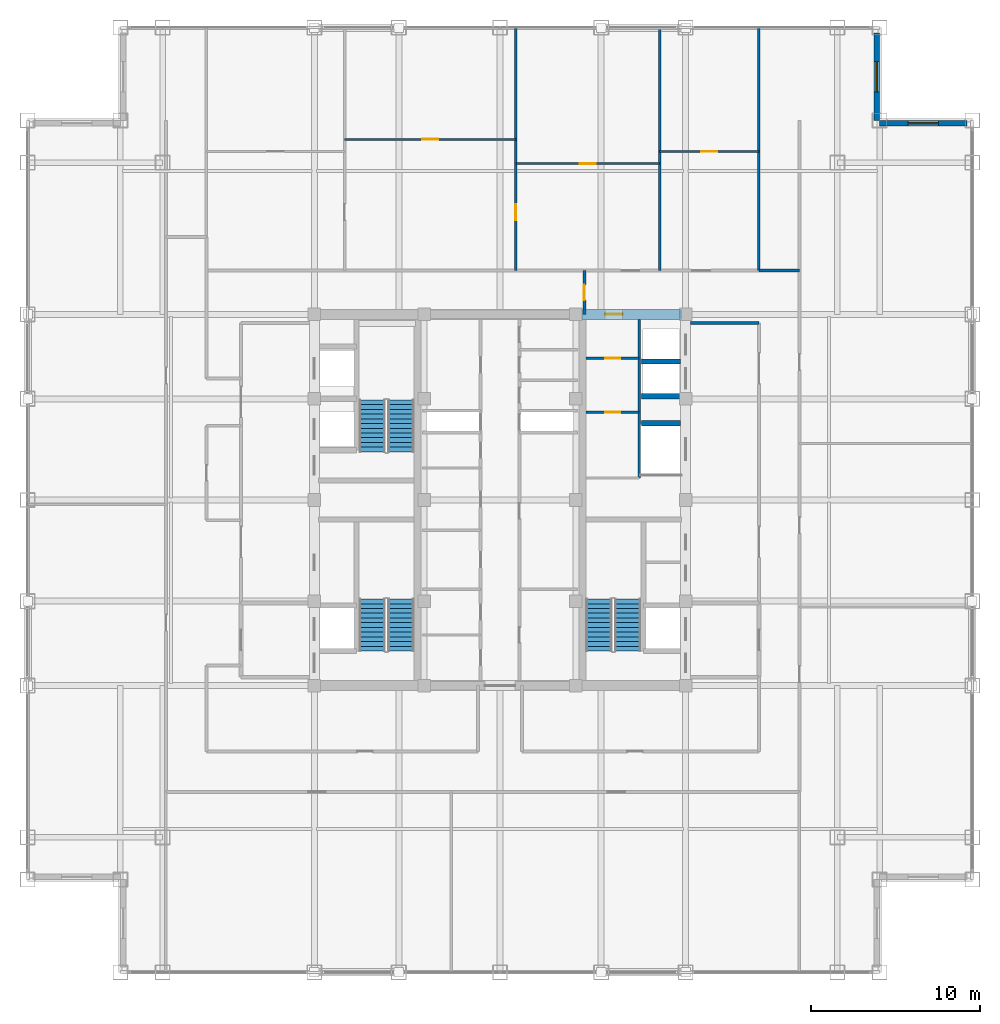
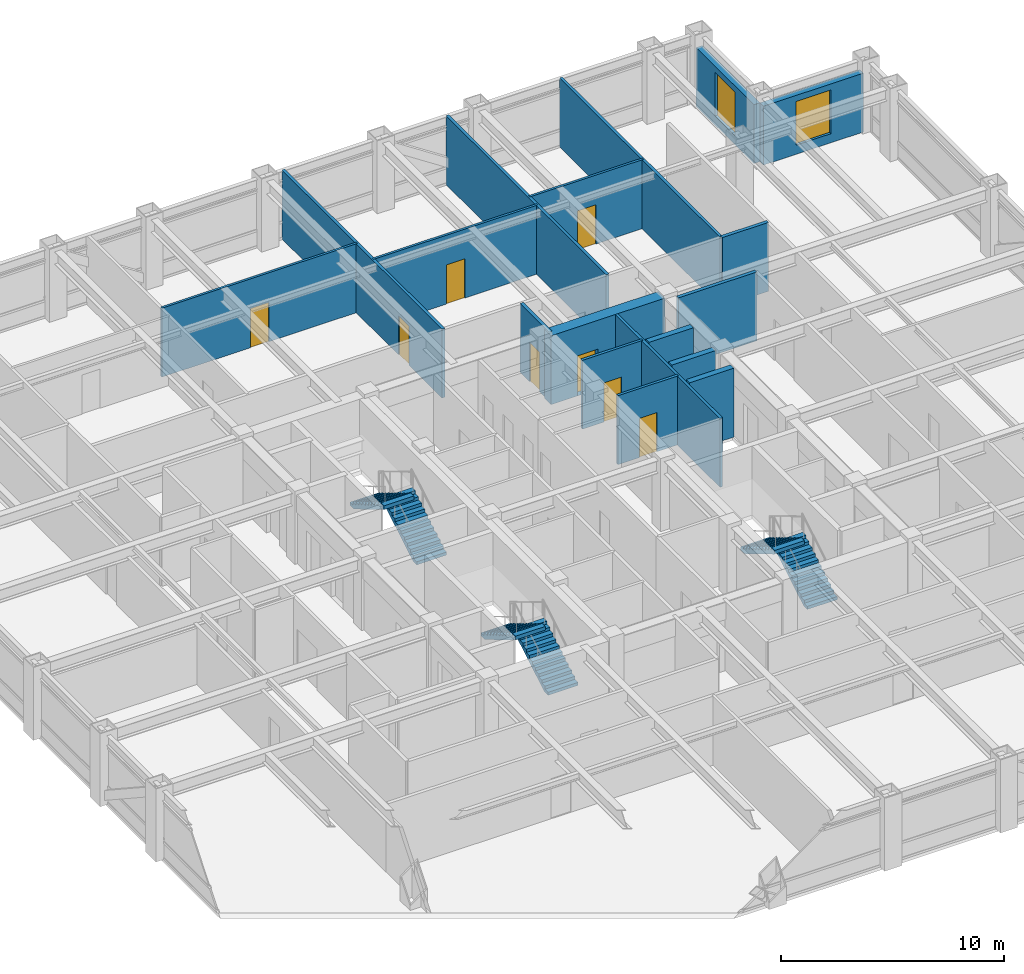
# One storey, part 21 of 22: 18 walls, 8 doors, 6 stair flights, 2 windows, 10 openings, 3 elements without a shape of their own.
"""IFC4 building model written with IfcOpenShell, lengths in metres."""

from ifc_helpers import new_model, si_unit, direction, frame, frame_2d, origin, place, context, subcontext, project, spatial, polyline, rectangle, outline, extrude, source, transform, mapped, material, layer, layer_set, type_object, element, fill, aggregate, save


model = new_model("IFC4")

# Units and contexts
model_context = context("Model", 3, precision=1e-05, world=origin(), true_north=direction((0.0, 1.0)))
body_context = subcontext(model_context, "Body", "Model", "MODEL_VIEW")
ifc_project = project(units=[si_unit("LENGTHUNIT", "METRE"), si_unit("AREAUNIT", "SQUARE_METRE"), si_unit("VOLUMEUNIT", "CUBIC_METRE"), si_unit("PLANEANGLEUNIT", "RADIAN"), si_unit("MASSUNIT", "GRAM", prefix="KILO")], contexts=[model_context])

# Site, building, storey
site_placement = place(None, origin())
site = spatial("IfcSite", under=ifc_project, at=site_placement, CompositionType="ELEMENT")
building_placement = place(site_placement, origin())
building = spatial("IfcBuilding", under=site, at=building_placement, Name="Khorayat Bourse Tower", CompositionType="ELEMENT")
storey_placement = place(building_placement, frame((0.0, 0.0, 305.5)))
storey = spatial("IfcBuildingStorey", under=building, at=storey_placement, Name="L72", CompositionType="ELEMENT", Elevation=305.5)

# Wall, opening, door
ifc_material_1 = material(Name="Concrete C60/75", Category="concrete")
ifc_layer_1 = layer(ifc_material_1, 0.60009765625)
ifc_layer_set_1 = layer_set([ifc_layer_1], Name="Concrete C60/75")
wall_type_1 = type_object("IfcWallType", Name="WAL-CORE-600", PredefinedType="SHEAR", material=ifc_layer_set_1)
shared_shape_1 = source(origin(), body_context, "Body", "SweptSolid", [
    extrude(rectangle(XDim=5.89990234375, YDim=0.60009765625, at=frame_2d((2.949951171875, 0.0))), origin(), (0.0, 0.0, 1.0), 3.780029296875),
])
wall_1_placement = place(storey_placement, frame((4.85009765625, 11.0, 0.0), z_axis=(0.0, 0.0, 1.0), x_axis=(1.0, 0.0, 0.0)))
wall_1 = element("IfcWall", 1, at=wall_1_placement, inside=storey, type_object=wall_type_1, Name="L72 Core Shear Wall PIER-EN", PredefinedType="SHEAR", context=body_context, shape_type="MappedRepresentation", body=[
    mapped(shared_shape_1, transform((0.0, 0.0, 0.0), scale=1.0)),
])
shared_shape_2 = source(origin(), body_context, "Body", "SweptSolid", [
    extrude(rectangle(XDim=1.050048828125, YDim=2.199951171875, at=frame_2d((0.52490234375, 1.10009765625))), frame((0.0, 0.31005859375, 0.0), z_axis=(0.0, -1.0, 0.0), x_axis=(1.0, 0.0, 0.0)), (0.0, 0.0, 1.0), 0.6201171875),
])
opening_1_placement = place(wall_1_placement, frame((1.375, 0.0, 0.0)))
opening_1 = element("IfcOpeningElement", 2, at=opening_1_placement, cuts=wall_1, Name="Opening DI-04", PredefinedType="OPENING", context=body_context, shape_type="MappedRepresentation", body=[
    mapped(shared_shape_2, transform((0.0, 0.0, 0.0), scale=1.0)),
])
ifc_material_2 = material(Name="Fire-rated oak veneer suite entrance door")
door_type_1 = type_object("IfcDoorType", Name="DR-INT-SUITE-1050", OperationType="NOTDEFINED", PredefinedType="DOOR", material=ifc_material_2)
shared_shape_3 = source(origin(), body_context, "Body", "SweptSolid", [
    extrude(rectangle(XDim=1.050048828125, YDim=2.199951171875, at=frame_2d((0.52490234375, 1.10009765625))), frame((0.0, 0.02490234375, 0.0), z_axis=(0.0, -1.0, 0.0), x_axis=(1.0, 0.0, 0.0)), (0.0, 0.0, 1.0), 0.050048828125),
])
door_1_placement = place(opening_1_placement, origin())
door_1 = element("IfcDoor", 3, at=door_1_placement, inside=storey, type_object=door_type_1, Name="L72 Core Washroom Lobby Door", OperationType="SINGLE_SWING_LEFT", OverallHeight=2.199951171875, OverallWidth=1.050048828125, PredefinedType="DOOR", context=body_context, shape_type="MappedRepresentation", body=[
    mapped(shared_shape_3, transform((0.0, 0.0, 0.0), scale=1.0)),
])
fill(opening_1, door_1)

# Wall, opening, window
ifc_material_3 = material(Name="Precast concrete C45/55", Category="concrete")
ifc_layer_2 = layer(ifc_material_3, 0.320068359375)
ifc_layer_set_2 = layer_set([ifc_layer_2], Name="Precast concrete C45/55")
wall_type_2 = type_object("IfcWallType", Name="WAL-EXT-STONE-320", PredefinedType="STANDARD", material=ifc_layer_set_2)
shared_shape_4 = source(origin(), body_context, "Body", "SweptSolid", [
    extrude(rectangle(XDim=5.179931640625, YDim=0.320068359375, at=frame_2d((2.58984375, 0.0))), origin(), (0.0, 0.0, 1.0), 3.23095703125),
])
wall_2_placement = place(storey_placement, frame((22.5, 22.340087890625, 0.0), z_axis=(0.0, 0.0, 1.0), x_axis=(1.0, 0.0, 0.0)))
wall_2 = element("IfcWall", 4, at=wall_2_placement, inside=storey, type_object=wall_type_2, Name="L72 Re-Entrant Notch Limestone Wall NE-H", PredefinedType="STANDARD", context=body_context, shape_type="MappedRepresentation", body=[
    mapped(shared_shape_4, transform((0.0, 0.0, 0.0), scale=1.0)),
])
shared_shape_5 = source(origin(), body_context, "Body", "SweptSolid", [
    extrude(rectangle(XDim=1.800048828125, YDim=2.39990234375, at=frame_2d((0.89990234375, 1.199951171875))), frame((0.0, 0.169921875, 0.0), z_axis=(0.0, -1.0, 0.0), x_axis=(1.0, 0.0, 0.0)), (0.0, 0.0, 1.0), 0.340087890625),
])
opening_2_placement = place(wall_2_placement, frame((1.68994140625, 0.0, 0.5)))
opening_2 = element("IfcOpeningElement", 5, at=opening_2_placement, cuts=wall_2, Name="Opening WN-04", PredefinedType="OPENING", context=body_context, shape_type="MappedRepresentation", body=[
    mapped(shared_shape_5, transform((0.0, 0.0, 0.0), scale=1.0)),
])
ifc_material_4 = material(Name="Low-E acoustic laminated double glazing", Category="glass")
window_type = type_object("IfcWindowType", Name="WIN-NOTCH-1800x2400", PartitioningType="SINGLE_PANEL", PredefinedType="WINDOW", material=ifc_material_4)
shared_shape_6 = source(origin(), body_context, "Body", "SweptSolid", [
    extrude(rectangle(XDim=1.800048828125, YDim=2.39990234375, at=frame_2d((0.89990234375, 1.199951171875))), frame((0.0, 0.030029296875, 0.0), z_axis=(0.0, -1.0, 0.0), x_axis=(1.0, 0.0, 0.0)), (0.0, 0.0, 1.0), 0.06005859375),
])
window_1_placement = place(opening_2_placement, origin())
window_1 = element("IfcWindow", 6, at=window_1_placement, inside=storey, type_object=window_type, Name="L72 Facade Window 1", OverallHeight=2.39990234375, OverallWidth=1.800048828125, PartitioningType="SINGLE_PANEL", PredefinedType="WINDOW", context=body_context, shape_type="MappedRepresentation", body=[
    mapped(shared_shape_6, transform((0.0, 0.0, 0.0), scale=1.0)),
])
fill(opening_2, window_1)

wall_3_placement = place(storey_placement, frame((22.340087890625, 22.5, 0.0), z_axis=(0.0, 0.0, 1.0), x_axis=(0.0, 1.0, 0.0)))
wall_3 = element("IfcWall", 7, at=wall_3_placement, inside=storey, type_object=wall_type_2, Name="L72 Re-Entrant Notch Limestone Wall NE-V", PredefinedType="STANDARD", context=body_context, shape_type="MappedRepresentation", body=[
    mapped(shared_shape_4, transform((0.0, 0.0, 0.0), scale=1.0)),
])
opening_3_placement = place(wall_3_placement, frame((1.68994140625, 0.0, 0.5)))
opening_3 = element("IfcOpeningElement", 8, at=opening_3_placement, cuts=wall_3, Name="Opening WN-04", PredefinedType="OPENING", context=body_context, shape_type="MappedRepresentation", body=[
    mapped(shared_shape_5, transform((0.0, 0.0, 0.0), scale=1.0)),
])
window_2_placement = place(opening_3_placement, origin())
window_2 = element("IfcWindow", 9, at=window_2_placement, inside=storey, type_object=window_type, Name="L72 Facade Window 1", OverallHeight=2.39990234375, OverallWidth=1.800048828125, PartitioningType="SINGLE_PANEL", PredefinedType="WINDOW", context=body_context, shape_type="MappedRepresentation", body=[
    mapped(shared_shape_6, transform((0.0, 0.0, 0.0), scale=1.0)),
])
fill(opening_3, window_2)

# Walls
ifc_material_5 = material(Name="Concrete C50/60", Category="concrete")
ifc_layer_3 = layer(ifc_material_5, 0.300048828125)
ifc_layer_set_3 = layer_set([ifc_layer_3], Name="Concrete C50/60")
wall_type_3 = type_object("IfcWallType", Name="WAL-SHAFT-300", PredefinedType="SHEAR", material=ifc_layer_set_3)
shared_shape_7 = source(origin(), body_context, "Body", "SweptSolid", [
    extrude(rectangle(XDim=2.300048828125, YDim=0.300048828125, at=frame_2d((1.14990234375, 0.0))), origin(), (0.0, 0.0, 1.0), 3.780029296875),
])
for number, where, z_axis, x_axis, name in (
    (10, (8.39990234375, 4.550048828125, 0.0), (0.0, 0.0, 1.0), (1.0, 0.0, 0.0), "L72 Partition WAL-L72-EPIER-SVLN"),
    (11, (8.39990234375, 6.14990234375, 0.0), (0.0, 0.0, 1.0), (1.0, 0.0, 0.0), "L72 Partition WAL-L72-EPIER-H3S"),
    (12, (8.39990234375, 8.199951171875, 0.0), (0.0, 0.0, 1.0), (1.0, 0.0, 0.0), "L72 Partition WAL-L72-EPIER-H34"),
):
    element("IfcWall", number, at=place(storey_placement, frame(where, z_axis=z_axis, x_axis=x_axis)), inside=storey, type_object=wall_type_3, Name=name, PredefinedType="SHEAR", context=body_context, shape_type="MappedRepresentation", body=[
        mapped(shared_shape_7, transform((0.0, 0.0, 0.0), scale=1.0)),
    ])
ifc_material_6 = material(Name="Moisture-resistant masonry partition", Category="masonry")
ifc_layer_4 = layer(ifc_material_6, 0.139892578125)
ifc_layer_set_4 = layer_set([ifc_layer_4], Name="Moisture-resistant masonry partition")
wall_type_4 = type_object("IfcWallType", Name="WAL-PART-WET-140", PredefinedType="PARTITIONING", material=ifc_layer_set_4)
shared_shape_8 = source(origin(), body_context, "Body", "SweptSolid", [
    extrude(rectangle(XDim=9.39990234375, YDim=0.139892578125, at=frame_2d((4.699951171875, 0.0))), origin(), (0.0, 0.0, 1.0), 3.780029296875),
])
wall_4_placement = place(storey_placement, frame((8.25, 1.300048828125, 0.0), z_axis=(0.0, 0.0, 1.0), x_axis=(0.0, 1.0, 0.0)))
element("IfcWall", 13, at=wall_4_placement, inside=storey, type_object=wall_type_4, Name="L72 Partition WAL-L72-ECORE-E", PredefinedType="PARTITIONING", context=body_context, shape_type="MappedRepresentation", body=[
    mapped(shared_shape_8, transform((0.0, 0.0, 0.0), scale=1.0)),
])

# Wall, opening, door
shared_shape_9 = source(origin(), body_context, "Body", "SweptSolid", [
    extrude(rectangle(XDim=3.14990234375, YDim=0.139892578125, at=frame_2d((1.574951171875, 0.0))), origin(), (0.0, 0.0, 1.0), 3.780029296875),
])
wall_5_placement = place(storey_placement, frame((5.10009765625, 8.39990234375, 0.0), z_axis=(0.0, 0.0, 1.0), x_axis=(1.0, 0.0, 0.0)))
wall_5 = element("IfcWall", 14, at=wall_5_placement, inside=storey, type_object=wall_type_4, Name="L72 Partition WAL-L72-ECW-TOP", PredefinedType="PARTITIONING", context=body_context, shape_type="MappedRepresentation", body=[
    mapped(shared_shape_9, transform((0.0, 0.0, 0.0), scale=1.0)),
])
shared_shape_10 = source(origin(), body_context, "Body", "SweptSolid", [
    extrude(rectangle(XDim=0.89990234375, YDim=2.14990234375, at=frame_2d((0.449951171875, 1.074951171875))), frame((0.0, 0.079833984375, 0.0), z_axis=(0.0, -1.0, 0.0), x_axis=(1.0, 0.0, 0.0)), (0.0, 0.0, 1.0), 0.159912109375),
])
opening_4_placement = place(wall_5_placement, frame((1.1298828125, 0.0, 0.0)))
opening_4 = element("IfcOpeningElement", 15, at=opening_4_placement, cuts=wall_5, Name="Opening DI-06", PredefinedType="OPENING", context=body_context, shape_type="MappedRepresentation", body=[
    mapped(shared_shape_10, transform((0.0, 0.0, 0.0), scale=1.0)),
])
ifc_material_7 = material(Name="Moisture-resistant laminate washroom door")
door_type_2 = type_object("IfcDoorType", Name="DR-INT-WC-900", OperationType="NOTDEFINED", PredefinedType="DOOR", material=ifc_material_7)
shared_shape_11 = source(origin(), body_context, "Body", "SweptSolid", [
    extrude(rectangle(XDim=0.89990234375, YDim=2.14990234375, at=frame_2d((0.449951171875, 1.074951171875))), frame((0.0, 0.02490234375, 0.0), z_axis=(0.0, -1.0, 0.0), x_axis=(1.0, 0.0, 0.0)), (0.0, 0.0, 1.0), 0.050048828125),
])
door_2_placement = place(opening_4_placement, origin())
door_2 = element("IfcDoor", 16, at=door_2_placement, inside=storey, type_object=door_type_2, Name="L72 Accessible WC Door", OperationType="SINGLE_SWING_LEFT", OverallHeight=2.14990234375, OverallWidth=0.89990234375, PredefinedType="DOOR", context=body_context, shape_type="MappedRepresentation", body=[
    mapped(shared_shape_11, transform((0.0, 0.0, 0.0), scale=1.0)),
])
fill(opening_4, door_2)

wall_6_placement = place(storey_placement, frame((5.10009765625, 5.199951171875, 0.0), z_axis=(0.0, 0.0, 1.0), x_axis=(1.0, 0.0, 0.0)))
wall_6 = element("IfcWall", 17, at=wall_6_placement, inside=storey, type_object=wall_type_4, Name="L72 Partition WAL-L72-ECW-HZ", PredefinedType="PARTITIONING", context=body_context, shape_type="MappedRepresentation", body=[
    mapped(shared_shape_9, transform((0.0, 0.0, 0.0), scale=1.0)),
])
opening_5_placement = place(wall_6_placement, frame((1.1298828125, 0.0, 0.0)))
opening_5 = element("IfcOpeningElement", 18, at=opening_5_placement, cuts=wall_6, Name="Opening DI-06", PredefinedType="OPENING", context=body_context, shape_type="MappedRepresentation", body=[
    mapped(shared_shape_10, transform((0.0, 0.0, 0.0), scale=1.0)),
])
door_3_placement = place(opening_5_placement, origin())
door_3 = element("IfcDoor", 19, at=door_3_placement, inside=storey, type_object=door_type_2, Name="L72 Shared Washroom Door", OperationType="SINGLE_SWING_RIGHT", OverallHeight=2.14990234375, OverallWidth=0.89990234375, PredefinedType="DOOR", context=body_context, shape_type="MappedRepresentation", body=[
    mapped(shared_shape_11, transform((0.0, 0.0, 0.0), scale=1.0)),
])
fill(opening_5, door_3)

# Wall
ifc_material_8 = material(Name="Gypsum plasterboard acoustic stud wall")
ifc_layer_5 = layer(ifc_material_8, 0.179931640625)
ifc_layer_set_5 = layer_set([ifc_layer_5], Name="Gypsum plasterboard acoustic stud wall")
wall_type_5 = type_object("IfcWallType", Name="WAL-PART-CORR-180", PredefinedType="PARTITIONING", material=ifc_layer_set_5)
shared_shape_12 = source(origin(), body_context, "Body", "SweptSolid", [
    extrude(rectangle(XDim=4.050048828125, YDim=0.179931640625, at=frame_2d((2.02490234375, 0.0))), origin(), (0.0, 0.0, 1.0), 3.780029296875),
])
wall_7_placement = place(storey_placement, frame((11.300048828125, 10.5, 0.0), z_axis=(0.0, 0.0, 1.0), x_axis=(1.0, 0.0, 0.0)))
element("IfcWall", 20, at=wall_7_placement, inside=storey, type_object=wall_type_5, Name="L72 Partition WAL-L72-ELOB-N", PredefinedType="PARTITIONING", context=body_context, shape_type="MappedRepresentation", body=[
    mapped(shared_shape_12, transform((0.0, 0.0, 0.0), scale=1.0)),
])

# Wall, opening, door
shared_shape_13 = source(origin(), body_context, "Body", "SweptSolid", [
    extrude(rectangle(XDim=2.60009765625, YDim=0.179931640625, at=frame_2d((1.300048828125, 0.0))), origin(), (0.0, 0.0, 1.0), 3.780029296875),
])
wall_8_placement = place(storey_placement, frame((5.0, 11.0, 0.0), z_axis=(0.0, 0.0, 1.0), x_axis=(0.0, 1.0, 0.0)))
wall_8 = element("IfcWall", 21, at=wall_8_placement, inside=storey, type_object=wall_type_5, Name="L72 Partition WAL-L72-CORRNE-W", PredefinedType="PARTITIONING", context=body_context, shape_type="MappedRepresentation", body=[
    mapped(shared_shape_13, transform((0.0, 0.0, 0.0), scale=1.0)),
])
shared_shape_14 = source(origin(), body_context, "Body", "SweptSolid", [
    extrude(rectangle(XDim=0.89990234375, YDim=2.14990234375, at=frame_2d((0.449951171875, 1.074951171875))), frame((0.0, 0.099853515625, 0.0), z_axis=(0.0, -1.0, 0.0), x_axis=(1.0, 0.0, 0.0)), (0.0, 0.0, 1.0), 0.199951171875),
])
opening_6_placement = place(wall_8_placement, frame((0.85009765625, 0.0, 0.0)))
opening_6 = element("IfcOpeningElement", 22, at=opening_6_placement, cuts=wall_8, Name="Opening DI-06", PredefinedType="OPENING", context=body_context, shape_type="MappedRepresentation", body=[
    mapped(shared_shape_14, transform((0.0, 0.0, 0.0), scale=1.0)),
])
door_4_placement = place(opening_6_placement, origin())
door_4 = element("IfcDoor", 23, at=door_4_placement, inside=storey, type_object=door_type_2, Name="L72 North Core Pantry Door", OperationType="SINGLE_SWING_LEFT", OverallHeight=2.14990234375, OverallWidth=0.89990234375, PredefinedType="DOOR", context=body_context, shape_type="MappedRepresentation", body=[
    mapped(shared_shape_11, transform((0.0, 0.0, 0.0), scale=1.0)),
])
fill(opening_6, door_4)

# Wall
shared_shape_15 = source(origin(), body_context, "Body", "SweptSolid", [
    extrude(rectangle(XDim=2.39990234375, YDim=0.179931640625, at=frame_2d((1.199951171875, 0.0))), origin(), (0.0, 0.0, 1.0), 3.780029296875),
])
wall_9_placement = place(storey_placement, frame((15.35009765625, 13.60009765625, 0.0), z_axis=(0.0, 0.0, 1.0), x_axis=(1.0, 0.0, 0.0)))
element("IfcWall", 24, at=wall_9_placement, inside=storey, type_object=wall_type_5, Name="L72 Partition WAL-L72-GALE-N", PredefinedType="PARTITIONING", context=body_context, shape_type="MappedRepresentation", body=[
    mapped(shared_shape_15, transform((0.0, 0.0, 0.0), scale=1.0)),
])

# Wall, opening, door
ifc_material_9 = material(Name="Gypsum plasterboard twin-frame partition")
ifc_layer_6 = layer(ifc_material_9, 0.14990234375)
ifc_layer_set_6 = layer_set([ifc_layer_6], Name="Gypsum plasterboard twin-frame partition")
wall_type_6 = type_object("IfcWallType", Name="WAL-PART-SUITE-150", PredefinedType="PARTITIONING", material=ifc_layer_set_6)
shared_shape_16 = source(origin(), body_context, "Body", "SweptSolid", [
    extrude(rectangle(XDim=14.39990234375, YDim=0.14990234375, at=frame_2d((7.199951171875, 0.0))), origin(), (0.0, 0.0, 1.0), 3.780029296875),
])
wall_10_placement = place(storey_placement, frame((0.93994140625, 13.60009765625, 0.0), z_axis=(0.0, 0.0, 1.0), x_axis=(0.0, 1.0, 0.0)))
wall_10 = element("IfcWall", 25, at=wall_10_placement, inside=storey, type_object=wall_type_6, Name="L72 Partition WAL-L72-NDV-2", PredefinedType="PARTITIONING", context=body_context, shape_type="MappedRepresentation", body=[
    mapped(shared_shape_16, transform((0.0, 0.0, 0.0), scale=1.0)),
])
shared_shape_17 = source(origin(), body_context, "Body", "SweptSolid", [
    extrude(rectangle(XDim=0.949951171875, YDim=2.14990234375, at=frame_2d((0.47509765625, 1.074951171875))), frame((0.0, 0.0849609375, 0.0), z_axis=(0.0, -1.0, 0.0), x_axis=(1.0, 0.0, 0.0)), (0.0, 0.0, 1.0), 0.169921875),
])
opening_7_placement = place(wall_10_placement, frame((2.98095703125, 0.0, 0.0)))
opening_7 = element("IfcOpeningElement", 26, at=opening_7_placement, cuts=wall_10, Name="Opening DI-05", PredefinedType="OPENING", context=body_context, shape_type="MappedRepresentation", body=[
    mapped(shared_shape_17, transform((0.0, 0.0, 0.0), scale=1.0)),
])
ifc_material_10 = material(Name="Acoustic oak veneer office door")
door_type_3 = type_object("IfcDoorType", Name="DR-INT-OFFICE-950", OperationType="NOTDEFINED", PredefinedType="DOOR", material=ifc_material_10)
shared_shape_18 = source(origin(), body_context, "Body", "SweptSolid", [
    extrude(rectangle(XDim=0.949951171875, YDim=2.14990234375, at=frame_2d((0.47509765625, 1.074951171875))), frame((0.0, 0.02490234375, 0.0), z_axis=(0.0, -1.0, 0.0), x_axis=(1.0, 0.0, 0.0)), (0.0, 0.0, 1.0), 0.050048828125),
])
door_5_placement = place(opening_7_placement, origin())
door_5 = element("IfcDoor", 27, at=door_5_placement, inside=storey, type_object=door_type_3, Name="L72 N Suite Link 2", OperationType="SINGLE_SWING_LEFT", OverallHeight=2.14990234375, OverallWidth=0.949951171875, PredefinedType="DOOR", context=body_context, shape_type="MappedRepresentation", body=[
    mapped(shared_shape_18, transform((0.0, 0.0, 0.0), scale=1.0)),
])
fill(opening_7, door_5)

# Walls
for number, where, z_axis, x_axis, name in (
    (28, (9.455078125, 13.60009765625, 0.0), (0.0, 0.0, 1.0), (0.0, 1.0, 0.0), "L72 Partition WAL-L72-NDV-3"),
    (29, (15.35009765625, 13.60009765625, 0.0), (0.0, 0.0, 1.0), (0.0, 1.0, 0.0), "L72 Partition WAL-L72-NCE-END"),
):
    element("IfcWall", number, at=place(storey_placement, frame(where, z_axis=z_axis, x_axis=x_axis)), inside=storey, type_object=wall_type_6, Name=name, PredefinedType="PARTITIONING", context=body_context, shape_type="MappedRepresentation", body=[
        mapped(shared_shape_16, transform((0.0, 0.0, 0.0), scale=1.0)),
    ])

# Wall, opening, door
ifc_material_11 = material(Name="Gypsum plasterboard partition")
ifc_layer_7 = layer(ifc_material_11, 0.125)
ifc_layer_set_7 = layer_set([ifc_layer_7], Name="Gypsum plasterboard partition")
wall_type_7 = type_object("IfcWallType", Name="WAL-PART-ROOM-125", PredefinedType="PARTITIONING", material=ifc_layer_set_7)
shared_shape_19 = source(origin(), body_context, "Body", "SweptSolid", [
    extrude(rectangle(XDim=10.15234375, YDim=0.125, at=frame_2d((5.076171875, 0.0))), origin(), (0.0, 0.0, 1.0), 3.780029296875),
])
wall_11_placement = place(storey_placement, frame((-9.21240234375, 21.3759765625, 0.0), z_axis=(0.0, 0.0, 1.0), x_axis=(1.0, 0.0, 0.0)))
wall_11 = element("IfcWall", 30, at=wall_11_placement, inside=storey, type_object=wall_type_7, Name="L72 Partition WAL-L72-NDP-2", PredefinedType="PARTITIONING", context=body_context, shape_type="MappedRepresentation", body=[
    mapped(shared_shape_19, transform((0.0, 0.0, 0.0), scale=1.0)),
])
shared_shape_20 = source(origin(), body_context, "Body", "SweptSolid", [
    extrude(rectangle(XDim=0.949951171875, YDim=2.14990234375, at=frame_2d((0.47509765625, 1.074951171875))), frame((0.0, 0.072509765625, 0.0), z_axis=(0.0, -1.0, 0.0), x_axis=(1.0, 0.0, 0.0)), (0.0, 0.0, 1.0), 0.14501953125),
])
opening_8_placement = place(wall_11_placement, frame((4.601318359375, 0.0, 0.0)))
opening_8 = element("IfcOpeningElement", 31, at=opening_8_placement, cuts=wall_11, Name="Opening DI-05", PredefinedType="OPENING", context=body_context, shape_type="MappedRepresentation", body=[
    mapped(shared_shape_20, transform((0.0, 0.0, 0.0), scale=1.0)),
])
door_6_placement = place(opening_8_placement, origin())
door_6 = element("IfcDoor", 32, at=door_6_placement, inside=storey, type_object=door_type_3, Name="L72 Members Dining Room N2B Door", OperationType="SINGLE_SWING_LEFT", OverallHeight=2.14990234375, OverallWidth=0.949951171875, PredefinedType="DOOR", context=body_context, shape_type="MappedRepresentation", body=[
    mapped(shared_shape_18, transform((0.0, 0.0, 0.0), scale=1.0)),
])
fill(opening_8, door_6)

shared_shape_21 = source(origin(), body_context, "Body", "SweptSolid", [
    extrude(rectangle(XDim=8.51513671875, YDim=0.125, at=frame_2d((4.257568359375, 0.0))), origin(), (0.0, 0.0, 1.0), 3.780029296875),
])
wall_12_placement = place(storey_placement, frame((0.93994140625, 19.93603515625, 0.0), z_axis=(0.0, 0.0, 1.0), x_axis=(1.0, 0.0, 0.0)))
wall_12 = element("IfcWall", 33, at=wall_12_placement, inside=storey, type_object=wall_type_7, Name="L72 Partition WAL-L72-NDP-3", PredefinedType="PARTITIONING", context=body_context, shape_type="MappedRepresentation", body=[
    mapped(shared_shape_21, transform((0.0, 0.0, 0.0), scale=1.0)),
])
opening_9_placement = place(wall_12_placement, frame((3.782470703125, 0.0, 0.0)))
opening_9 = element("IfcOpeningElement", 34, at=opening_9_placement, cuts=wall_12, Name="Opening DI-05", PredefinedType="OPENING", context=body_context, shape_type="MappedRepresentation", body=[
    mapped(shared_shape_20, transform((0.0, 0.0, 0.0), scale=1.0)),
])
door_7_placement = place(opening_9_placement, origin())
door_7 = element("IfcDoor", 35, at=door_7_placement, inside=storey, type_object=door_type_3, Name="L72 Clearing Records Archive Store N3B Door", OperationType="SINGLE_SWING_RIGHT", OverallHeight=2.14990234375, OverallWidth=0.949951171875, PredefinedType="DOOR", context=body_context, shape_type="MappedRepresentation", body=[
    mapped(shared_shape_18, transform((0.0, 0.0, 0.0), scale=1.0)),
])
fill(opening_9, door_7)

shared_shape_22 = source(origin(), body_context, "Body", "SweptSolid", [
    extrude(rectangle(XDim=5.89501953125, YDim=0.125, at=frame_2d((2.947509765625, 0.0))), origin(), (0.0, 0.0, 1.0), 3.780029296875),
])
wall_13_placement = place(storey_placement, frame((9.455078125, 20.656005859375, 0.0), z_axis=(0.0, 0.0, 1.0), x_axis=(1.0, 0.0, 0.0)))
wall_13 = element("IfcWall", 36, at=wall_13_placement, inside=storey, type_object=wall_type_7, Name="L72 Partition WAL-L72-NDP-4", PredefinedType="PARTITIONING", context=body_context, shape_type="MappedRepresentation", body=[
    mapped(shared_shape_22, transform((0.0, 0.0, 0.0), scale=1.0)),
])
opening_10_placement = place(wall_13_placement, frame((2.472412109375, 0.0, 0.0)))
opening_10 = element("IfcOpeningElement", 37, at=opening_10_placement, cuts=wall_13, Name="Opening DI-05", PredefinedType="OPENING", context=body_context, shape_type="MappedRepresentation", body=[
    mapped(shared_shape_20, transform((0.0, 0.0, 0.0), scale=1.0)),
])
door_8_placement = place(opening_10_placement, origin())
door_8 = element("IfcDoor", 38, at=door_8_placement, inside=storey, type_object=door_type_3, Name="L72 Occupational First Aid Clinic N4B Door", OperationType="SINGLE_SWING_LEFT", OverallHeight=2.14990234375, OverallWidth=0.949951171875, PredefinedType="DOOR", context=body_context, shape_type="MappedRepresentation", body=[
    mapped(shared_shape_18, transform((0.0, 0.0, 0.0), scale=1.0)),
])
fill(opening_10, door_8)

# Stair, stair flights
ifc_material_12 = material(Name="Concrete C40/50", Category="concrete")
stair_type = type_object("IfcStairType", Name="STR-CORE-1550", PredefinedType="HALF_TURN_STAIR", material=ifc_material_12)
stair_1_placement = place(storey_placement, origin())
stair_1 = element("IfcStair", 39, at=stair_1_placement, inside=storey, type_object=stair_type, Name="L72 Exit Stair ST-1", PredefinedType="HALF_TURN_STAIR")
stair_flight_type = type_object("IfcStairFlightType", Name="FLT-CORE-1550", PredefinedType="STRAIGHT", material=ifc_material_12)
shared_shape_23 = source(origin(), body_context, "Body", "SweptSolid", [
    extrude(outline(polyline([(0.0, 0.0), (0.0, 0.166748046875), (0.280029296875, 0.166748046875), (0.280029296875, 0.333251953125), (0.56005859375, 0.333251953125), (0.56005859375, 0.5), (0.840087890625, 0.5), (0.840087890625, 0.666748046875), (1.1201171875, 0.666748046875), (1.1201171875, 0.833251953125), (1.39990234375, 0.833251953125), (1.39990234375, 1.0), (1.679931640625, 1.0), (1.679931640625, 1.166748046875), (1.9599609375, 1.166748046875), (1.9599609375, 1.333251953125), (2.239990234375, 1.333251953125), (2.239990234375, 1.5), (2.52001953125, 1.5), (2.52001953125, 1.666748046875), (2.800048828125, 1.666748046875), (2.800048828125, 1.833251953125), (3.080078125, 1.833251953125), (3.080078125, 2.0), (3.080078125, 1.6240234375), (0.351806640625, 0.0), (0.0, 0.0)])), frame((0.0, 0.77490234375, 0.0), z_axis=(0.0, -1.0, 0.0), x_axis=(1.0, 0.0, 0.0)), (0.0, 0.0, 1.0), 1.550048828125),
])
stair_flight_1_placement = place(storey_placement, frame((-5.875, -8.949951171875, 0.0), z_axis=(0.0, 0.0, 1.0), x_axis=(0.0, 1.0, 0.0)))
stair_flight_1 = element("IfcStairFlight", 40, at=stair_flight_1_placement, type_object=stair_flight_type, Name="ST-1 flight 1", NumberOfRisers=12, NumberOfTreads=11, PredefinedType="STRAIGHT", RiserHeight=0.166666667, TreadLength=0.28, context=body_context, shape_type="MappedRepresentation", body=[
    mapped(shared_shape_23, transform((0.0, 0.0, 0.0), scale=1.0)),
])
stair_flight_2_placement = place(storey_placement, frame((-7.574951171875, -5.8701171875, 2.0), z_axis=(0.0, 0.0, 1.0), x_axis=(0.0, -1.0, 0.0)))
stair_flight_2 = element("IfcStairFlight", 41, at=stair_flight_2_placement, type_object=stair_flight_type, Name="ST-1 flight 2", NumberOfRisers=12, NumberOfTreads=11, PredefinedType="STRAIGHT", RiserHeight=0.166666667, TreadLength=0.28, context=body_context, shape_type="MappedRepresentation", body=[
    mapped(shared_shape_23, transform((0.0, 0.0, 0.0), scale=1.0)),
])
aggregate(stair_1, [stair_flight_1, stair_flight_2])

stair_2_placement = place(storey_placement, origin())
stair_2 = element("IfcStair", 42, at=stair_2_placement, inside=storey, type_object=stair_type, Name="L72 Exit Stair ST-2", PredefinedType="HALF_TURN_STAIR")
stair_flight_3_placement = place(storey_placement, frame((-5.875, 2.85009765625, 0.0), z_axis=(0.0, 0.0, 1.0), x_axis=(0.0, 1.0, 0.0)))
stair_flight_3 = element("IfcStairFlight", 43, at=stair_flight_3_placement, type_object=stair_flight_type, Name="ST-2 flight 1", NumberOfRisers=12, NumberOfTreads=11, PredefinedType="STRAIGHT", RiserHeight=0.166666667, TreadLength=0.28, context=body_context, shape_type="MappedRepresentation", body=[
    mapped(shared_shape_23, transform((0.0, 0.0, 0.0), scale=1.0)),
])
stair_flight_4_placement = place(storey_placement, frame((-7.574951171875, 5.929931640625, 2.0), z_axis=(0.0, 0.0, 1.0), x_axis=(0.0, -1.0, 0.0)))
stair_flight_4 = element("IfcStairFlight", 44, at=stair_flight_4_placement, type_object=stair_flight_type, Name="ST-2 flight 2", NumberOfRisers=12, NumberOfTreads=11, PredefinedType="STRAIGHT", RiserHeight=0.166666667, TreadLength=0.28, context=body_context, shape_type="MappedRepresentation", body=[
    mapped(shared_shape_23, transform((0.0, 0.0, 0.0), scale=1.0)),
])
aggregate(stair_2, [stair_flight_3, stair_flight_4])

stair_3_placement = place(storey_placement, origin())
stair_3 = element("IfcStair", 45, at=stair_3_placement, inside=storey, type_object=stair_type, Name="L72 Exit Stair ST-3", PredefinedType="HALF_TURN_STAIR")
stair_flight_5_placement = place(storey_placement, frame((7.574951171875, -8.949951171875, 0.0), z_axis=(0.0, 0.0, 1.0), x_axis=(0.0, 1.0, 0.0)))
stair_flight_5 = element("IfcStairFlight", 46, at=stair_flight_5_placement, type_object=stair_flight_type, Name="ST-3 flight 1", NumberOfRisers=12, NumberOfTreads=11, PredefinedType="STRAIGHT", RiserHeight=0.166666667, TreadLength=0.28, context=body_context, shape_type="MappedRepresentation", body=[
    mapped(shared_shape_23, transform((0.0, 0.0, 0.0), scale=1.0)),
])
stair_flight_6_placement = place(storey_placement, frame((5.875, -5.8701171875, 2.0), z_axis=(0.0, 0.0, 1.0), x_axis=(0.0, -1.0, 0.0)))
stair_flight_6 = element("IfcStairFlight", 47, at=stair_flight_6_placement, type_object=stair_flight_type, Name="ST-3 flight 2", NumberOfRisers=12, NumberOfTreads=11, PredefinedType="STRAIGHT", RiserHeight=0.166666667, TreadLength=0.28, context=body_context, shape_type="MappedRepresentation", body=[
    mapped(shared_shape_23, transform((0.0, 0.0, 0.0), scale=1.0)),
])
aggregate(stair_3, [stair_flight_5, stair_flight_6])

save(model, "model.ifc")
